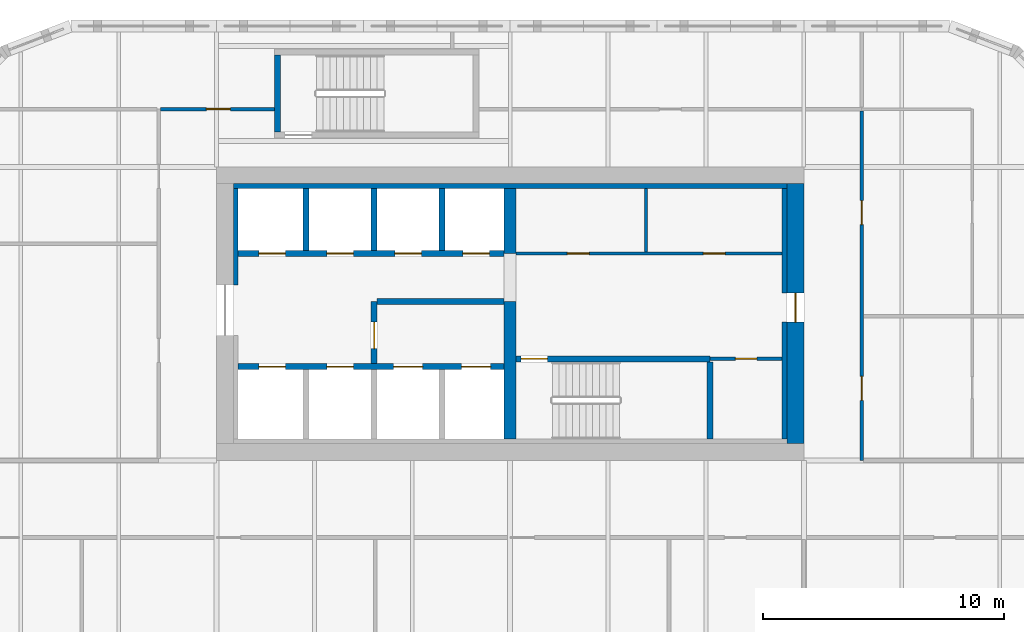
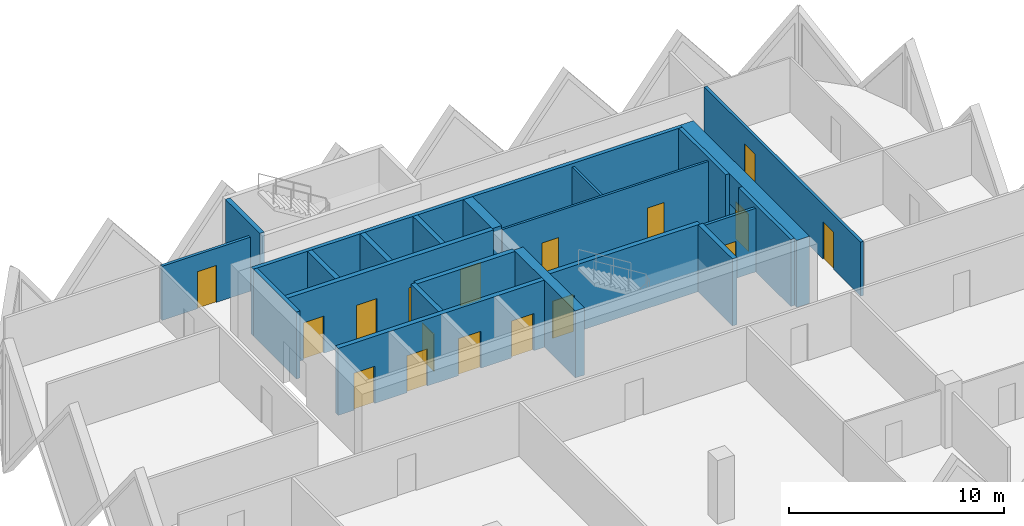
# One storey, part 13 of 18: 22 walls, 17 doors, 17 openings.
"""IFC4 building model written with IfcOpenShell, lengths in metres."""

from ifc_helpers import new_model, si_unit, direction, frame, frame_2d, origin, place, context, subcontext, project, spatial, rectangle, extrude, source, transform, mapped, material, layer, layer_set, type_object, element, fill, save


model = new_model("IFC4")

# Units and contexts
model_context = context("Model", 3, precision=1e-05, world=origin(), true_north=direction((0.0, 1.0)))
body_context = subcontext(model_context, "Body", "Model", "MODEL_VIEW")
ifc_project = project(units=[si_unit("LENGTHUNIT", "METRE"), si_unit("AREAUNIT", "SQUARE_METRE"), si_unit("VOLUMEUNIT", "CUBIC_METRE"), si_unit("PLANEANGLEUNIT", "RADIAN"), si_unit("MASSUNIT", "GRAM", prefix="KILO")], contexts=[model_context])

# Site, building, storey
site_placement = place(None, origin())
site = spatial("IfcSite", under=ifc_project, at=site_placement, CompositionType="ELEMENT")
building_placement = place(site_placement, origin())
building = spatial("IfcBuilding", under=site, at=building_placement, Name="Tessera Gate Towers", CompositionType="ELEMENT")
storey_placement = place(building_placement, frame((0.0, 0.0, 44.800048828125)))
storey = spatial("IfcBuildingStorey", under=building, at=storey_placement, Name="L10", CompositionType="ELEMENT", Elevation=44.800048828125)

# Wall, openings, doors
ifc_material_1 = material(Name="Concrete C40/50", Category="concrete")
ifc_layer_1 = layer(ifc_material_1, 0.25)
ifc_layer_set_1 = layer_set([ifc_layer_1], Name="CORE ENCLOSURE WALL 250")
wall_type_1 = type_object("IfcWallType", Name="CORE ENCLOSURE WALL 250", PredefinedType="SOLIDWALL", material=ifc_layer_set_1)
wall_1_placement = place(storey_placement, frame((98.5, 40.5, 0.0), z_axis=(0.0, 0.0, 1.0), x_axis=(1.0, 0.0, 0.0)))
wall_1 = element("IfcWall", 1, at=wall_1_placement, inside=storey, type_object=wall_type_1, Name="L10 shaft and stair enclosure wall", PredefinedType="SOLIDWALL", context=body_context, shape_type="SweptSolid", body=[
    extrude(rectangle(XDim=11.050048828125, YDim=0.25, at=frame_2d((5.52490234375, 0.0))), origin(), (0.0, 0.0, 1.0), 3.800048828125),
])
shared_shape_1 = source(origin(), body_context, "Body", "SweptSolid", [
    extrude(rectangle(XDim=1.10009765625, YDim=2.10009765625, at=frame_2d((0.550048828125, 1.050048828125))), frame((0.0, 0.135009765625, 0.0), z_axis=(0.0, -1.0, 0.0), x_axis=(1.0, 0.0, 0.0)), (0.0, 0.0, 1.0), 0.27001953125),
])
opening_1_placement = place(wall_1_placement, frame((0.862548828125, 0.0, 0.0)))
opening_1 = element("IfcOpeningElement", 2, at=opening_1_placement, cuts=wall_1, Name="Opening LD-TL1", PredefinedType="OPENING", context=body_context, shape_type="MappedRepresentation", body=[
    mapped(shared_shape_1, transform((0.0, 0.0, 0.0), scale=1.0)),
])
opening_2_placement = place(wall_1_placement, frame((3.6875, 0.0, 0.0)))
opening_2 = element("IfcOpeningElement", 3, at=opening_2_placement, cuts=wall_1, Name="Opening LD-TL2", PredefinedType="OPENING", context=body_context, shape_type="MappedRepresentation", body=[
    mapped(shared_shape_1, transform((0.0, 0.0, 0.0), scale=1.0)),
])
shared_shape_2 = source(origin(), body_context, "Body", "SweptSolid", [
    extrude(rectangle(XDim=1.199951171875, YDim=2.10009765625, at=frame_2d((0.60009765625, 1.050048828125))), frame((0.0, 0.135009765625, 0.0), z_axis=(0.0, -1.0, 0.0), x_axis=(1.0, 0.0, 0.0)), (0.0, 0.0, 1.0), 0.27001953125),
])
opening_3_placement = place(wall_1_placement, frame((6.46240234375, 0.0, 0.0)))
opening_3 = element("IfcOpeningElement", 4, at=opening_3_placement, cuts=wall_1, Name="Opening LD-FF3", PredefinedType="OPENING", context=body_context, shape_type="MappedRepresentation", body=[
    mapped(shared_shape_2, transform((0.0, 0.0, 0.0), scale=1.0)),
])
opening_4_placement = place(wall_1_placement, frame((9.28759765625, 0.0, 0.0)))
opening_4 = element("IfcOpeningElement", 5, at=opening_4_placement, cuts=wall_1, Name="Opening LD-FF4", PredefinedType="OPENING", context=body_context, shape_type="MappedRepresentation", body=[
    mapped(shared_shape_2, transform((0.0, 0.0, 0.0), scale=1.0)),
])
ifc_material_2 = material(Name="Stainless steel", Category="steel")
door_type_1 = type_object("IfcDoorType", Name="CORE DOOR LD1200 1200x2100", OperationType="DOUBLE_DOOR_SLIDING", PredefinedType="DOOR", material=ifc_material_2)
shared_shape_3 = source(origin(), body_context, "Body", "SweptSolid", [
    extrude(rectangle(XDim=1.199951171875, YDim=2.10009765625, at=frame_2d((0.60009765625, 1.050048828125))), frame((0.0, 0.02490234375, 0.0), z_axis=(0.0, -1.0, 0.0), x_axis=(1.0, 0.0, 0.0)), (0.0, 0.0, 1.0), 0.050048828125),
])
door_1_placement = place(opening_3_placement, origin())
door_1 = element("IfcDoor", 6, at=door_1_placement, inside=storey, type_object=door_type_1, Name="Landing door FF3 L10", OperationType="DOUBLE_DOOR_SLIDING", OverallHeight=2.10009765625, OverallWidth=1.199951171875, PredefinedType="DOOR", context=body_context, shape_type="MappedRepresentation", body=[
    mapped(shared_shape_3, transform((0.0, 0.0, 0.0), scale=1.0)),
])
fill(opening_3, door_1)
door_2_placement = place(opening_4_placement, origin())
door_2 = element("IfcDoor", 7, at=door_2_placement, inside=storey, type_object=door_type_1, Name="Landing door FF4 L10", OperationType="DOUBLE_DOOR_SLIDING", OverallHeight=2.10009765625, OverallWidth=1.199951171875, PredefinedType="DOOR", context=body_context, shape_type="MappedRepresentation", body=[
    mapped(shared_shape_3, transform((0.0, 0.0, 0.0), scale=1.0)),
])
fill(opening_4, door_2)
ifc_material_3 = material(Name="Stainless steel", Category="steel")
door_type_2 = type_object("IfcDoorType", Name="CORE DOOR LD 1100x2100", OperationType="DOUBLE_DOOR_SLIDING", PredefinedType="DOOR", material=ifc_material_3)
shared_shape_4 = source(origin(), body_context, "Body", "SweptSolid", [
    extrude(rectangle(XDim=1.10009765625, YDim=2.10009765625, at=frame_2d((0.550048828125, 1.050048828125))), frame((0.0, 0.02490234375, 0.0), z_axis=(0.0, -1.0, 0.0), x_axis=(1.0, 0.0, 0.0)), (0.0, 0.0, 1.0), 0.050048828125),
])
door_3_placement = place(opening_1_placement, origin())
door_3 = element("IfcDoor", 8, at=door_3_placement, inside=storey, type_object=door_type_2, Name="Landing door TL1 L10", OperationType="DOUBLE_DOOR_SLIDING", OverallHeight=2.10009765625, OverallWidth=1.10009765625, PredefinedType="DOOR", context=body_context, shape_type="MappedRepresentation", body=[
    mapped(shared_shape_4, transform((0.0, 0.0, 0.0), scale=1.0)),
])
fill(opening_1, door_3)
door_4_placement = place(opening_2_placement, origin())
door_4 = element("IfcDoor", 9, at=door_4_placement, inside=storey, type_object=door_type_2, Name="Landing door TL2 L10", OperationType="DOUBLE_DOOR_SLIDING", OverallHeight=2.10009765625, OverallWidth=1.10009765625, PredefinedType="DOOR", context=body_context, shape_type="MappedRepresentation", body=[
    mapped(shared_shape_4, transform((0.0, 0.0, 0.0), scale=1.0)),
])
fill(opening_2, door_4)

wall_2_placement = place(storey_placement, frame((109.550048828125, 45.199951171875, 0.0), z_axis=(0.0, 0.0, 1.0), x_axis=(-1.0, 0.0, 0.0)))
wall_2 = element("IfcWall", 10, at=wall_2_placement, inside=storey, type_object=wall_type_1, Name="L10 shaft and stair enclosure wall", PredefinedType="SOLIDWALL", context=body_context, shape_type="SweptSolid", body=[
    extrude(rectangle(XDim=11.050048828125, YDim=0.25, at=frame_2d((5.52490234375, 0.0))), origin(), (0.0, 0.0, 1.0), 3.800048828125),
])
opening_5_placement = place(wall_2_placement, frame((9.08740234375, 0.0, 0.0)))
opening_5 = element("IfcOpeningElement", 11, at=opening_5_placement, cuts=wall_2, Name="Opening LD-TL3", PredefinedType="OPENING", context=body_context, shape_type="MappedRepresentation", body=[
    mapped(shared_shape_1, transform((0.0, 0.0, 0.0), scale=1.0)),
])
opening_6_placement = place(wall_2_placement, frame((6.262451171875, 0.0, 0.0)))
opening_6 = element("IfcOpeningElement", 12, at=opening_6_placement, cuts=wall_2, Name="Opening LD-TL4", PredefinedType="OPENING", context=body_context, shape_type="MappedRepresentation", body=[
    mapped(shared_shape_1, transform((0.0, 0.0, 0.0), scale=1.0)),
])
opening_7_placement = place(wall_2_placement, frame((3.4375, 0.0, 0.0)))
opening_7 = element("IfcOpeningElement", 13, at=opening_7_placement, cuts=wall_2, Name="Opening LD-TL5", PredefinedType="OPENING", context=body_context, shape_type="MappedRepresentation", body=[
    mapped(shared_shape_1, transform((0.0, 0.0, 0.0), scale=1.0)),
])
opening_8_placement = place(wall_2_placement, frame((0.612548828125, 0.0, 0.0)))
opening_8 = element("IfcOpeningElement", 14, at=opening_8_placement, cuts=wall_2, Name="Opening LD-TL6", PredefinedType="OPENING", context=body_context, shape_type="MappedRepresentation", body=[
    mapped(shared_shape_1, transform((0.0, 0.0, 0.0), scale=1.0)),
])
door_5_placement = place(opening_5_placement, origin())
door_5 = element("IfcDoor", 15, at=door_5_placement, inside=storey, type_object=door_type_2, Name="Landing door TL3 L10", OperationType="DOUBLE_DOOR_SLIDING", OverallHeight=2.10009765625, OverallWidth=1.10009765625, PredefinedType="DOOR", context=body_context, shape_type="MappedRepresentation", body=[
    mapped(shared_shape_4, transform((0.0, 0.0, 0.0), scale=1.0)),
])
fill(opening_5, door_5)
door_6_placement = place(opening_6_placement, origin())
door_6 = element("IfcDoor", 16, at=door_6_placement, inside=storey, type_object=door_type_2, Name="Landing door TL4 L10", OperationType="DOUBLE_DOOR_SLIDING", OverallHeight=2.10009765625, OverallWidth=1.10009765625, PredefinedType="DOOR", context=body_context, shape_type="MappedRepresentation", body=[
    mapped(shared_shape_4, transform((0.0, 0.0, 0.0), scale=1.0)),
])
fill(opening_6, door_6)
door_7_placement = place(opening_7_placement, origin())
door_7 = element("IfcDoor", 17, at=door_7_placement, inside=storey, type_object=door_type_2, Name="Landing door TL5 L10", OperationType="DOUBLE_DOOR_SLIDING", OverallHeight=2.10009765625, OverallWidth=1.10009765625, PredefinedType="DOOR", context=body_context, shape_type="MappedRepresentation", body=[
    mapped(shared_shape_4, transform((0.0, 0.0, 0.0), scale=1.0)),
])
fill(opening_7, door_7)
door_8_placement = place(opening_8_placement, origin())
door_8 = element("IfcDoor", 18, at=door_8_placement, inside=storey, type_object=door_type_2, Name="Landing door TL6 L10", OperationType="DOUBLE_DOOR_SLIDING", OverallHeight=2.10009765625, OverallWidth=1.10009765625, PredefinedType="DOOR", context=body_context, shape_type="MappedRepresentation", body=[
    mapped(shared_shape_4, transform((0.0, 0.0, 0.0), scale=1.0)),
])
fill(opening_8, door_8)

# Wall, opening, door
wall_3_placement = place(storey_placement, frame((118.10009765625, 40.824951171875, 0.0), z_axis=(0.0, 0.0, 1.0), x_axis=(-1.0, 0.0, 0.0)))
wall_3 = element("IfcWall", 19, at=wall_3_placement, inside=storey, type_object=wall_type_1, Name="L10 shaft and stair enclosure wall", PredefinedType="SOLIDWALL", context=body_context, shape_type="SweptSolid", body=[
    extrude(rectangle(XDim=8.050048828125, YDim=0.25, at=frame_2d((4.02490234375, 0.0))), origin(), (0.0, 0.0, 1.0), 3.800048828125),
])
opening_9_placement = place(wall_3_placement, frame((6.75, 0.0, 0.0)))
opening_9 = element("IfcOpeningElement", 20, at=opening_9_placement, cuts=wall_3, Name="Opening SD-ST6-1", PredefinedType="OPENING", context=body_context, shape_type="MappedRepresentation", body=[
    mapped(shared_shape_1, transform((0.0, 0.0, 0.0), scale=1.0)),
])
ifc_material_4 = material(Name="Hollow steel fire door", Category="steel")
door_type_3 = type_object("IfcDoorType", Name="CORE DOOR SD1100 1100x2100", OperationType="NOTDEFINED", PredefinedType="DOOR", material=ifc_material_4)
door_9_placement = place(opening_9_placement, origin())
door_9 = element("IfcDoor", 21, at=door_9_placement, inside=storey, type_object=door_type_3, Name="Stair door", OperationType="SINGLE_SWING_RIGHT", OverallHeight=2.10009765625, OverallWidth=1.10009765625, PredefinedType="DOOR", context=body_context, shape_type="MappedRepresentation", body=[
    mapped(shared_shape_4, transform((0.0, 0.0, 0.0), scale=1.0)),
])
fill(opening_9, door_9)

wall_4_placement = place(storey_placement, frame((104.14990234375, 43.199951171875, 0.0), z_axis=(0.0, 0.0, 1.0), x_axis=(0.0, -1.0, 0.0)))
wall_4 = element("IfcWall", 22, at=wall_4_placement, inside=storey, type_object=wall_type_1, Name="L10 shaft and stair enclosure wall", PredefinedType="SOLIDWALL", context=body_context, shape_type="SweptSolid", body=[
    extrude(rectangle(XDim=2.574951171875, YDim=0.25, at=frame_2d((1.28759765625, 0.0))), origin(), (0.0, 0.0, 1.0), 3.800048828125),
])
opening_10_placement = place(wall_4_placement, frame((0.85009765625, 0.0, 0.0)))
opening_10 = element("IfcOpeningElement", 23, at=opening_10_placement, cuts=wall_4, Name="Opening FD-T2-04-03", PredefinedType="OPENING", context=body_context, shape_type="MappedRepresentation", body=[
    mapped(shared_shape_1, transform((0.0, 0.0, 0.0), scale=1.0)),
])
ifc_material_5 = material(Name="Hollow steel fire door", Category="steel")
door_type_4 = type_object("IfcDoorType", Name="CORE DOOR FD 1100x2100", OperationType="NOTDEFINED", PredefinedType="DOOR", material=ifc_material_5)
door_10_placement = place(opening_10_placement, origin())
door_10 = element("IfcDoor", 24, at=door_10_placement, inside=storey, type_object=door_type_4, Name="Fire-fighting lobby door", OperationType="SINGLE_SWING_RIGHT", OverallHeight=2.10009765625, OverallWidth=1.10009765625, PredefinedType="DOOR", context=body_context, shape_type="MappedRepresentation", body=[
    mapped(shared_shape_4, transform((0.0, 0.0, 0.0), scale=1.0)),
])
fill(opening_10, door_10)

# Walls
wall_5_placement = place(storey_placement, frame((104.27490234375, 43.199951171875, 0.0), z_axis=(0.0, 0.0, 1.0), x_axis=(1.0, 0.0, 0.0)))
element("IfcWall", 25, at=wall_5_placement, inside=storey, type_object=wall_type_1, Name="L10 shaft and stair enclosure wall", PredefinedType="SOLIDWALL", context=body_context, shape_type="SweptSolid", body=[
    extrude(rectangle(XDim=5.275146484375, YDim=0.25, at=frame_2d((2.6376953125, 0.0))), origin(), (0.0, 0.0, 1.0), 3.800048828125),
])
wall_6_placement = place(storey_placement, frame((118.10009765625, 37.5, 0.0), z_axis=(0.0, 0.0, 1.0), x_axis=(0.0, 1.0, 0.0)))
element("IfcWall", 26, at=wall_6_placement, inside=storey, type_object=wall_type_1, Name="L10 shaft and stair enclosure wall", PredefinedType="SOLIDWALL", context=body_context, shape_type="SweptSolid", body=[
    extrude(rectangle(XDim=3.199951171875, YDim=0.25, at=frame_2d((1.60009765625, 0.0))), origin(), (0.0, 0.0, 1.0), 3.800048828125),
])
for number, where, z_axis, x_axis, name in (
    (27, (101.324951171875, 45.324951171875, 0.0), (0.0, 0.0, 1.0), (0.0, 1.0, 0.0), "L10 shaft and stair enclosure wall"),
    (28, (104.14990234375, 45.324951171875, 0.0), (0.0, 0.0, 1.0), (0.0, 1.0, 0.0), "L10 shaft and stair enclosure wall"),
    (29, (106.97509765625, 45.324951171875, 0.0), (0.0, 0.0, 1.0), (0.0, 1.0, 0.0), "L10 shaft and stair enclosure wall"),
):
    element("IfcWall", number, at=place(storey_placement, frame(where, z_axis=z_axis, x_axis=x_axis)), inside=storey, type_object=wall_type_1, Name=name, PredefinedType="SOLIDWALL", context=body_context, shape_type="SweptSolid", body=[
        extrude(rectangle(XDim=2.574951171875, YDim=0.25, at=frame_2d((1.28759765625, 0.0))), origin(), (0.0, 0.0, 1.0), 3.800048828125),
    ])
wall_7_placement = place(storey_placement, frame((100.125, 50.25, 0.0), z_axis=(0.0, 0.0, 1.0), x_axis=(0.0, 1.0, 0.0)))
element("IfcWall", 30, at=wall_7_placement, inside=storey, type_object=wall_type_1, Name="L10 ST7 enclosure wall", PredefinedType="SOLIDWALL", context=body_context, shape_type="SweptSolid", body=[
    extrude(rectangle(XDim=3.199951171875, YDim=0.25, at=frame_2d((1.60009765625, 0.0))), origin(), (0.0, 0.0, 1.0), 3.800048828125),
])

# Wall, openings, doors
ifc_material_6 = material(Name="Gypsum board on steel studs", Category="steel")
ifc_layer_2 = layer(ifc_material_6, 0.1201171875)
ifc_layer_set_2 = layer_set([ifc_layer_2], Name="CORE PARTITION 120")
wall_type_2 = type_object("IfcWallType", Name="CORE PARTITION 120", PredefinedType="PARTITIONING", material=ifc_layer_set_2)
wall_8_placement = place(storey_placement, frame((110.050048828125, 45.199951171875, 0.0), z_axis=(0.0, 0.0, 1.0), x_axis=(1.0, 0.0, 0.0)))
wall_8 = element("IfcWall", 31, at=wall_8_placement, inside=storey, type_object=wall_type_2, Name="L10 core partition", PredefinedType="PARTITIONING", context=body_context, shape_type="SweptSolid", body=[
    extrude(rectangle(XDim=11.050048828125, YDim=0.1201171875, at=frame_2d((5.52490234375, 0.0))), origin(), (0.0, 0.0, 1.0), 3.599853515625),
])
shared_shape_5 = source(origin(), body_context, "Body", "SweptSolid", [
    extrude(rectangle(XDim=0.89990234375, YDim=2.10009765625, at=frame_2d((0.449951171875, 1.050048828125))), frame((0.0, 0.070068359375, 0.0), z_axis=(0.0, -1.0, 0.0), x_axis=(1.0, 0.0, 0.0)), (0.0, 0.0, 1.0), 0.14013671875),
])
opening_11_placement = place(wall_8_placement, frame((2.125, 0.0, 0.0)))
opening_11 = element("IfcOpeningElement", 32, at=opening_11_placement, cuts=wall_8, Name="Opening RD-T2-04-04", PredefinedType="OPENING", context=body_context, shape_type="MappedRepresentation", body=[
    mapped(shared_shape_5, transform((0.0, 0.0, 0.0), scale=1.0)),
])
opening_12_placement = place(wall_8_placement, frame((7.77490234375, 0.0, 0.0)))
opening_12 = element("IfcOpeningElement", 33, at=opening_12_placement, cuts=wall_8, Name="Opening RD-T2-04-05", PredefinedType="OPENING", context=body_context, shape_type="MappedRepresentation", body=[
    mapped(shared_shape_5, transform((0.0, 0.0, 0.0), scale=1.0)),
])
ifc_material_7 = material(Name="Hollow steel fire door", Category="steel")
door_type_5 = type_object("IfcDoorType", Name="CORE DOOR RD 900x2100", OperationType="NOTDEFINED", PredefinedType="DOOR", material=ifc_material_7)
shared_shape_6 = source(origin(), body_context, "Body", "SweptSolid", [
    extrude(rectangle(XDim=0.89990234375, YDim=2.10009765625, at=frame_2d((0.449951171875, 1.050048828125))), frame((0.0, 0.02490234375, 0.0), z_axis=(0.0, -1.0, 0.0), x_axis=(1.0, 0.0, 0.0)), (0.0, 0.0, 1.0), 0.050048828125),
])
door_11_placement = place(opening_11_placement, origin())
door_11 = element("IfcDoor", 34, at=door_11_placement, inside=storey, type_object=door_type_5, Name="Core room door", OperationType="SINGLE_SWING_LEFT", OverallHeight=2.10009765625, OverallWidth=0.89990234375, PredefinedType="DOOR", context=body_context, shape_type="MappedRepresentation", body=[
    mapped(shared_shape_6, transform((0.0, 0.0, 0.0), scale=1.0)),
])
fill(opening_11, door_11)
door_12_placement = place(opening_12_placement, origin())
door_12 = element("IfcDoor", 35, at=door_12_placement, inside=storey, type_object=door_type_5, Name="Core room door", OperationType="SINGLE_SWING_RIGHT", OverallHeight=2.10009765625, OverallWidth=0.89990234375, PredefinedType="DOOR", context=body_context, shape_type="MappedRepresentation", body=[
    mapped(shared_shape_6, transform((0.0, 0.0, 0.0), scale=1.0)),
])
fill(opening_12, door_12)

# Wall
wall_9_placement = place(storey_placement, frame((115.449951171875, 45.260009765625, 0.0), z_axis=(0.0, 0.0, 1.0), x_axis=(0.0, 1.0, 0.0)))
element("IfcWall", 36, at=wall_9_placement, inside=storey, type_object=wall_type_2, Name="L10 core partition", PredefinedType="PARTITIONING", context=body_context, shape_type="SweptSolid", body=[
    extrude(rectangle(XDim=2.639892578125, YDim=0.1201171875, at=frame_2d((1.31982421875, 0.0))), origin(), (0.0, 0.0, 1.0), 3.599853515625),
])

# Wall, opening, door
ifc_material_8 = material(Name="Concrete C60/75", Category="concrete")
ifc_layer_3 = layer(ifc_material_8, 0.699951171875)
ifc_layer_set_3 = layer_set([ifc_layer_3], Name="CORE SHEAR WALL 700 C60/75")
wall_type_3 = type_object("IfcWallType", Name="CORE SHEAR WALL 700 C60/75", PredefinedType="SHEAR", material=ifc_layer_set_3)
wall_10_placement = place(storey_placement, frame((121.64990234375, 48.10009765625, 0.0), z_axis=(0.0, 0.0, 1.0), x_axis=(0.0, -1.0, 0.0)))
wall_10 = element("IfcWall", 37, at=wall_10_placement, inside=storey, type_object=wall_type_3, Name="Core wall E L10", PredefinedType="SHEAR", context=body_context, shape_type="SweptSolid", body=[
    extrude(rectangle(XDim=10.800048828125, YDim=0.699951171875, at=frame_2d((5.39990234375, 0.0))), origin(), (0.0, 0.0, 1.0), 3.800048828125),
])
shared_shape_7 = source(origin(), body_context, "Body", "SweptSolid", [
    extrude(rectangle(XDim=1.199951171875, YDim=2.10009765625, at=frame_2d((0.60009765625, 1.050048828125))), frame((0.0, 0.35986328125, 0.0), z_axis=(0.0, -1.0, 0.0), x_axis=(1.0, 0.0, 0.0)), (0.0, 0.0, 1.0), 0.719970703125),
])
opening_13_placement = place(wall_10_placement, frame((4.550048828125, 0.0, 0.0)))
opening_13 = element("IfcOpeningElement", 38, at=opening_13_placement, cuts=wall_10, Name="Opening ED-T2-04-02", PredefinedType="OPENING", context=body_context, shape_type="MappedRepresentation", body=[
    mapped(shared_shape_7, transform((0.0, 0.0, 0.0), scale=1.0)),
])
ifc_material_9 = material(Name="Hollow steel fire door", Category="steel")
door_type_6 = type_object("IfcDoorType", Name="CORE DOOR ED 1200x2100", OperationType="NOTDEFINED", PredefinedType="DOOR", material=ifc_material_9)
door_13_placement = place(opening_13_placement, origin())
door_13 = element("IfcDoor", 39, at=door_13_placement, inside=storey, type_object=door_type_6, Name="Core exit door", OperationType="SINGLE_SWING_LEFT", OverallHeight=2.10009765625, OverallWidth=1.199951171875, PredefinedType="DOOR", context=body_context, shape_type="MappedRepresentation", body=[
    mapped(shared_shape_3, transform((0.0, 0.0, 0.0), scale=1.0)),
])
fill(opening_13, door_13)

# Walls
ifc_material_10 = material(Name="Concrete C60/75", Category="concrete")
ifc_layer_4 = layer(ifc_material_10, 0.5)
ifc_layer_set_4 = layer_set([ifc_layer_4], Name="CORE SPINE WALL 500 C60/75")
wall_type_4 = type_object("IfcWallType", Name="CORE SPINE WALL 500 C60/75", PredefinedType="SHEAR", material=ifc_layer_set_4)
wall_11_placement = place(storey_placement, frame((109.800048828125, 37.5, 0.0), z_axis=(0.0, 0.0, 1.0), x_axis=(0.0, 1.0, 0.0)))
element("IfcWall", 40, at=wall_11_placement, inside=storey, type_object=wall_type_4, Name="Core wall spine L10", PredefinedType="SHEAR", context=body_context, shape_type="SweptSolid", body=[
    extrude(rectangle(XDim=5.699951171875, YDim=0.5, at=frame_2d((2.85009765625, 0.0))), origin(), (0.0, 0.0, 1.0), 3.800048828125),
])
wall_12_placement = place(storey_placement, frame((109.800048828125, 45.199951171875, 0.0), z_axis=(0.0, 0.0, 1.0), x_axis=(0.0, 1.0, 0.0)))
element("IfcWall", 41, at=wall_12_placement, inside=storey, type_object=wall_type_4, Name="Core wall spine L10", PredefinedType="SHEAR", context=body_context, shape_type="SweptSolid", body=[
    extrude(rectangle(XDim=2.699951171875, YDim=0.5, at=frame_2d((1.35009765625, 0.0))), origin(), (0.0, 0.0, 1.0), 3.800048828125),
])
ifc_material_11 = material(Name="Concrete C60/75", Category="concrete")
ifc_layer_5 = layer(ifc_material_11, 0.199951171875)
ifc_layer_set_5 = layer_set([ifc_layer_5], Name="CORE WALL THICKENING 200")
wall_type_5 = type_object("IfcWallType", Name="CORE WALL THICKENING 200", PredefinedType="SOLIDWALL", material=ifc_layer_set_5)
wall_13_placement = place(storey_placement, frame((98.300048828125, 48.0, 0.0), z_axis=(0.0, 0.0, 1.0), x_axis=(1.0, 0.0, 0.0)))
element("IfcWall", 42, at=wall_13_placement, inside=storey, type_object=wall_type_5, Name="Core wall thickening N L10", PredefinedType="SOLIDWALL", context=body_context, shape_type="SweptSolid", body=[
    extrude(rectangle(XDim=23.0, YDim=0.199951171875, at=frame_2d((11.5, 0.0))), origin(), (0.0, 0.0, 1.0), 3.800048828125),
])
wall_14_placement = place(storey_placement, frame((98.39990234375, 43.89990234375, 0.0), z_axis=(0.0, 0.0, 1.0), x_axis=(0.0, 1.0, 0.0)))
element("IfcWall", 43, at=wall_14_placement, inside=storey, type_object=wall_type_5, Name="Core wall thickening W L10", PredefinedType="SOLIDWALL", context=body_context, shape_type="SweptSolid", body=[
    extrude(rectangle(XDim=4.0, YDim=0.199951171875, at=frame_2d((2.0, 0.0))), origin(), (0.0, 0.0, 1.0), 3.800048828125),
])
wall_15_placement = place(storey_placement, frame((121.199951171875, 37.5, 0.0), z_axis=(0.0, 0.0, 1.0), x_axis=(0.0, 1.0, 0.0)))
element("IfcWall", 44, at=wall_15_placement, inside=storey, type_object=wall_type_5, Name="Core wall thickening E L10", PredefinedType="SOLIDWALL", context=body_context, shape_type="SweptSolid", body=[
    extrude(rectangle(XDim=4.85009765625, YDim=0.199951171875, at=frame_2d((2.425048828125, 0.0))), origin(), (0.0, 0.0, 1.0), 3.800048828125),
])
wall_16_placement = place(storey_placement, frame((121.199951171875, 43.550048828125, 0.0), z_axis=(0.0, 0.0, 1.0), x_axis=(0.0, 1.0, 0.0)))
element("IfcWall", 45, at=wall_16_placement, inside=storey, type_object=wall_type_5, Name="Core wall thickening E L10", PredefinedType="SOLIDWALL", context=body_context, shape_type="SweptSolid", body=[
    extrude(rectangle(XDim=4.349853515625, YDim=0.199951171875, at=frame_2d((2.1748046875, 0.0))), origin(), (0.0, 0.0, 1.0), 3.800048828125),
])

# Wall, openings, doors
ifc_material_12 = material(Name="Gypsum board on steel studs, mineral wool", Category="steel")
ifc_layer_6 = layer(ifc_material_12, 0.14990234375)
ifc_layer_set_6 = layer_set([ifc_layer_6], Name="CORRIDOR WALL 150")
wall_type_6 = type_object("IfcWallType", Name="CORRIDOR WALL 150", PredefinedType="PARTITIONING", material=ifc_layer_set_6)
wall_17_placement = place(storey_placement, frame((124.39990234375, 51.1240234375, 0.0), z_axis=(0.0, 0.0, 1.0), x_axis=(0.0, -1.0, 0.0)))
wall_17 = element("IfcWall", 46, at=wall_17_placement, inside=storey, type_object=wall_type_6, Name="T2-L10-PW-013", PredefinedType="PARTITIONING", context=body_context, shape_type="SweptSolid", body=[
    extrude(rectangle(XDim=14.52392578125, YDim=0.14990234375, at=frame_2d((7.261962890625, 0.0))), origin(), (0.0, 0.0, 1.0), 3.06689453125),
])
shared_shape_8 = source(origin(), body_context, "Body", "SweptSolid", [
    extrude(rectangle(XDim=1.0, YDim=2.10009765625, at=frame_2d((0.5, 1.050048828125))), frame((0.0, 0.0849609375, 0.0), z_axis=(0.0, -1.0, 0.0), x_axis=(1.0, 0.0, 0.0)), (0.0, 0.0, 1.0), 0.169921875),
])
opening_14_placement = place(wall_17_placement, frame((3.72412109375, 0.0, 0.0)))
opening_14 = element("IfcOpeningElement", 47, at=opening_14_placement, cuts=wall_17, Name="Opening D2100FD60-B04-03", PredefinedType="OPENING", context=body_context, shape_type="MappedRepresentation", body=[
    mapped(shared_shape_8, transform((0.0, 0.0, 0.0), scale=1.0)),
])
opening_15_placement = place(wall_17_placement, frame((11.02392578125, 0.0, 0.0)))
opening_15 = element("IfcOpeningElement", 48, at=opening_15_placement, cuts=wall_17, Name="Opening D2100FD60-B04-04", PredefinedType="OPENING", context=body_context, shape_type="MappedRepresentation", body=[
    mapped(shared_shape_8, transform((0.0, 0.0, 0.0), scale=1.0)),
])
ifc_material_13 = material(Name="Timber door leaf in steel frame", Category="steel")
door_type_7 = type_object("IfcDoorType", Name="TENANCY ENTRANCE DOOR 1000 FD60", OperationType="NOTDEFINED", PredefinedType="DOOR", material=ifc_material_13)
shared_shape_9 = source(origin(), body_context, "Body", "SweptSolid", [
    extrude(rectangle(XDim=1.0, YDim=2.10009765625, at=frame_2d((0.5, 1.050048828125))), frame((0.0, 0.02490234375, 0.0), z_axis=(0.0, -1.0, 0.0), x_axis=(1.0, 0.0, 0.0)), (0.0, 0.0, 1.0), 0.050048828125),
])
door_14_placement = place(opening_14_placement, origin())
door_14 = element("IfcDoor", 49, at=door_14_placement, inside=storey, type_object=door_type_7, Name="T2-L10-PD-010", OperationType="SINGLE_SWING_RIGHT", OverallHeight=2.10009765625, OverallWidth=1.0, PredefinedType="DOOR", context=body_context, shape_type="MappedRepresentation", body=[
    mapped(shared_shape_9, transform((0.0, 0.0, 0.0), scale=1.0)),
])
fill(opening_14, door_14)
door_15_placement = place(opening_15_placement, origin())
door_15 = element("IfcDoor", 50, at=door_15_placement, inside=storey, type_object=door_type_7, Name="T2-L10-PD-011", OperationType="SINGLE_SWING_RIGHT", OverallHeight=2.10009765625, OverallWidth=1.0, PredefinedType="DOOR", context=body_context, shape_type="MappedRepresentation", body=[
    mapped(shared_shape_9, transform((0.0, 0.0, 0.0), scale=1.0)),
])
fill(opening_15, door_15)

# Wall, opening, door
wall_18_placement = place(storey_placement, frame((95.27587890625, 51.199951171875, 0.0), z_axis=(0.0, 0.0, 1.0), x_axis=(1.0, 0.0, 0.0)))
wall_18 = element("IfcWall", 51, at=wall_18_placement, inside=storey, type_object=wall_type_6, Name="T2-L10-PW-021", PredefinedType="PARTITIONING", context=body_context, shape_type="SweptSolid", body=[
    extrude(rectangle(XDim=4.72412109375, YDim=0.14990234375, at=frame_2d((2.362060546875, 0.0))), origin(), (0.0, 0.0, 1.0), 3.06689453125),
])
opening_16_placement = place(wall_18_placement, frame((1.89990234375, 0.0, 0.0)))
opening_16 = element("IfcOpeningElement", 52, at=opening_16_placement, cuts=wall_18, Name="Opening D2100FD60-B04-01", PredefinedType="OPENING", context=body_context, shape_type="MappedRepresentation", body=[
    mapped(shared_shape_8, transform((0.0, 0.0, 0.0), scale=1.0)),
])
door_16_placement = place(opening_16_placement, origin())
door_16 = element("IfcDoor", 53, at=door_16_placement, inside=storey, type_object=door_type_7, Name="T2-L10-PD-001", OperationType="SINGLE_SWING_LEFT", OverallHeight=2.10009765625, OverallWidth=1.0, PredefinedType="DOOR", context=body_context, shape_type="MappedRepresentation", body=[
    mapped(shared_shape_9, transform((0.0, 0.0, 0.0), scale=1.0)),
])
fill(opening_16, door_16)

ifc_material_14 = material(Name="Gypsum board on steel studs", Category="steel")
ifc_layer_7 = layer(ifc_material_14, 0.14990234375)
ifc_layer_set_7 = layer_set([ifc_layer_7], Name="SERVICE ROOM WALL 150")
wall_type_7 = type_object("IfcWallType", Name="SERVICE ROOM WALL 150", PredefinedType="PARTITIONING", material=ifc_layer_set_7)
wall_19_placement = place(storey_placement, frame((121.10009765625, 40.824951171875, 0.0), z_axis=(0.0, 0.0, 1.0), x_axis=(-1.0, 0.0, 0.0)))
wall_19 = element("IfcWall", 54, at=wall_19_placement, inside=storey, type_object=wall_type_7, Name="L10 service room wall", PredefinedType="PARTITIONING", context=body_context, shape_type="SweptSolid", body=[
    extrude(rectangle(XDim=3.0, YDim=0.14990234375, at=frame_2d((1.5, 0.0))), origin(), (0.0, 0.0, 1.0), 3.599853515625),
])
shared_shape_10 = source(origin(), body_context, "Body", "SweptSolid", [
    extrude(rectangle(XDim=0.89990234375, YDim=2.10009765625, at=frame_2d((0.449951171875, 1.050048828125))), frame((0.0, 0.0849609375, 0.0), z_axis=(0.0, -1.0, 0.0), x_axis=(1.0, 0.0, 0.0)), (0.0, 0.0, 1.0), 0.169921875),
])
opening_17_placement = place(wall_19_placement, frame((1.050048828125, 0.0, 0.0)))
opening_17 = element("IfcOpeningElement", 55, at=opening_17_placement, cuts=wall_19, Name="Opening RD-T2-04-06", PredefinedType="OPENING", context=body_context, shape_type="MappedRepresentation", body=[
    mapped(shared_shape_10, transform((0.0, 0.0, 0.0), scale=1.0)),
])
door_17_placement = place(opening_17_placement, origin())
door_17 = element("IfcDoor", 56, at=door_17_placement, inside=storey, type_object=door_type_5, Name="Core room door", OperationType="SINGLE_SWING_RIGHT", OverallHeight=2.10009765625, OverallWidth=0.89990234375, PredefinedType="DOOR", context=body_context, shape_type="MappedRepresentation", body=[
    mapped(shared_shape_6, transform((0.0, 0.0, 0.0), scale=1.0)),
])
fill(opening_17, door_17)

save(model, "model.ifc")
